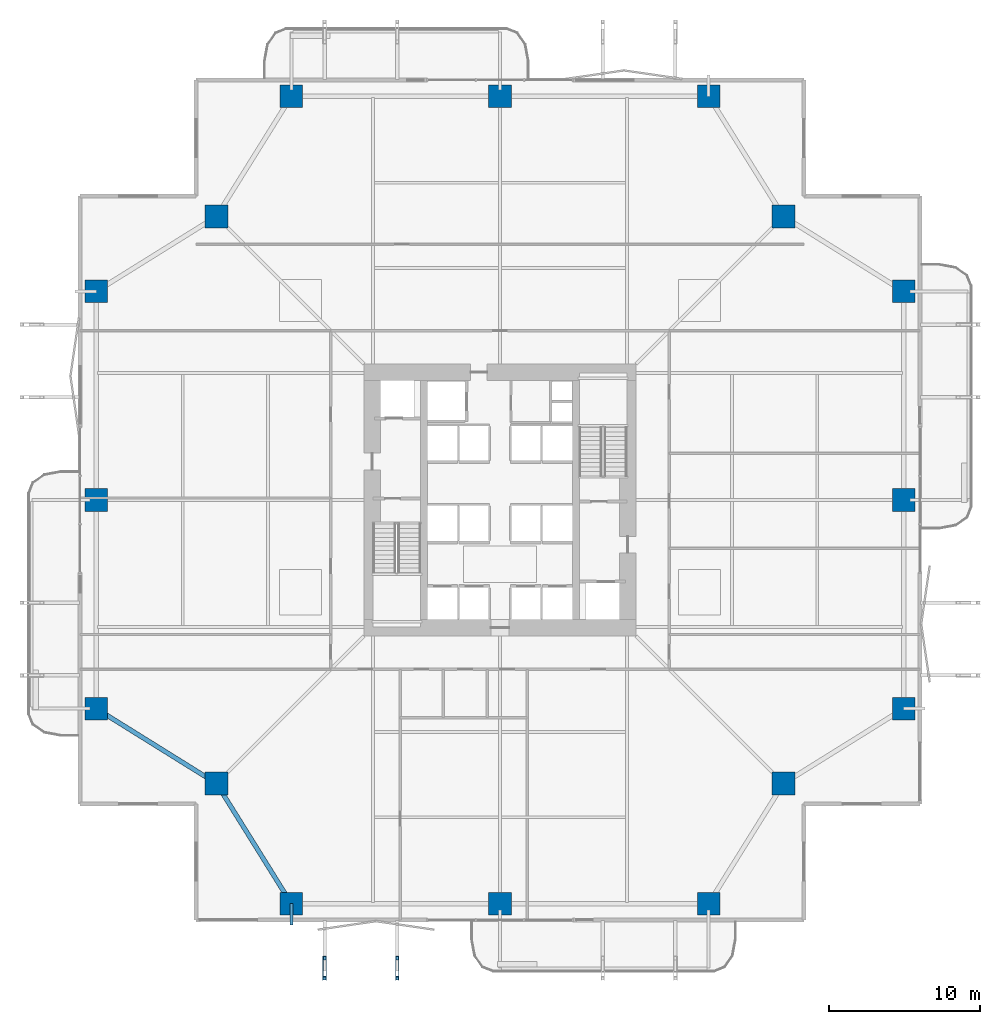
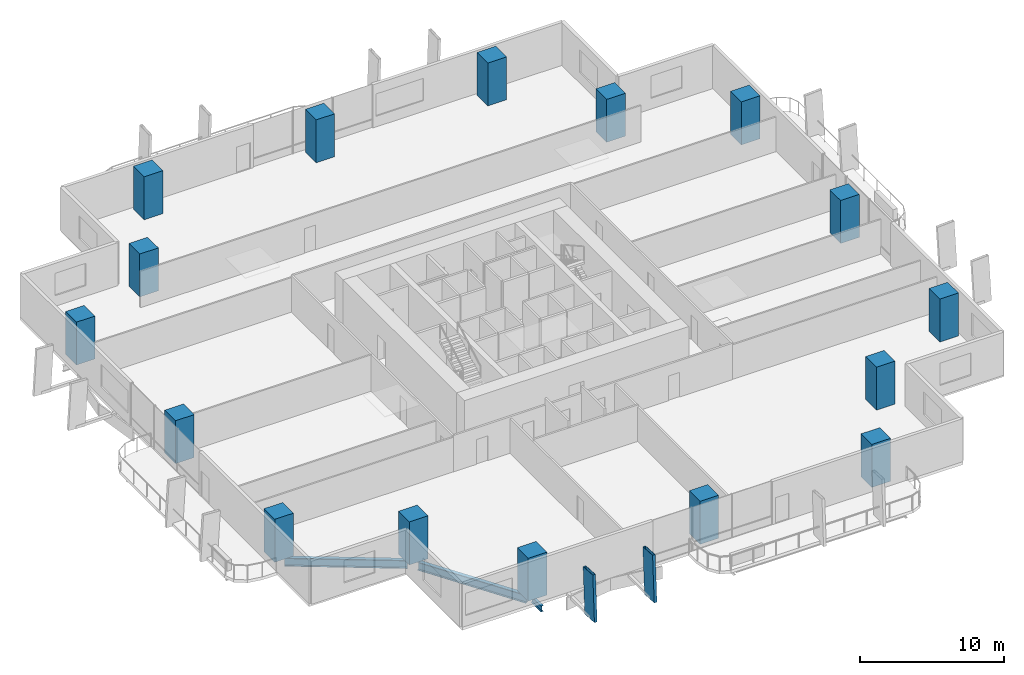
# One storey, part 1 of 24: 16 columns, 3 beams, 2 members.
"""IFC4 building model written with IfcOpenShell, lengths in metres."""

from ifc_helpers import new_model, si_unit, direction, frame, origin, origin_2d, place, context, subcontext, project, spatial, rectangle, hollow_rectangle, i_section, extrude, material, material_profile, profile_set, type_object, element, save


model = new_model("IFC4")

# Units and contexts
model_context = context("Model", 3, precision=1e-05, world=origin(), true_north=direction((0.0, 1.0)))
body_context = subcontext(model_context, "Body", "Model", "MODEL_VIEW")
ifc_project = project(units=[si_unit("LENGTHUNIT", "METRE"), si_unit("AREAUNIT", "SQUARE_METRE"), si_unit("VOLUMEUNIT", "CUBIC_METRE"), si_unit("PLANEANGLEUNIT", "RADIAN"), si_unit("MASSUNIT", "GRAM", prefix="KILO")], contexts=[model_context])

# Site, building, storey
site_placement = place(None, origin())
site = spatial("IfcSite", under=ifc_project, at=site_placement, CompositionType="ELEMENT")
building_placement = place(site_placement, origin())
building = spatial("IfcBuilding", under=site, at=building_placement, Name="Belovzor Exchange Tower", CompositionType="ELEMENT")
storey_placement = place(building_placement, frame((0.0, 0.0, 37.800048828125)))
storey = spatial("IfcBuildingStorey", under=building, at=storey_placement, Name="L08", CompositionType="ELEMENT", Elevation=37.800048828125)

# Columns
ifc_material_1 = material(Name="Concrete C60/75", Category="concrete")
ifc_material_profile_1 = material_profile(ifc_material_1, rectangle(XDim=1.5, YDim=1.5, at=origin_2d()))
ifc_profile_set_1 = profile_set([ifc_material_profile_1], Name="Concrete C60/75")
column_type = type_object("IfcColumnType", Name="Reinforced Concrete Tower Column 1500x1500", PredefinedType="COLUMN", material=ifc_profile_set_1)
for number, where, z_axis, x_axis, name in (
    (1, (15.0, 2.10009765625, 0.0029296875), (0.0, 0.0, 1.0), (1.0, 0.0, 0.0), "COL-T150 Reinforced Concrete Tower Column 1500x1500"),
    (2, (28.800048828125, 2.10009765625, 0.0029296875), (0.0, 0.0, 1.0), (1.0, 0.0, 0.0), "COL-T150 Reinforced Concrete Tower Column 1500x1500"),
    (3, (42.60009765625, 2.10009765625, 0.0029296875), (0.0, 0.0, 1.0), (1.0, 0.0, 0.0), "COL-T150 Reinforced Concrete Tower Column 1500x1500"),
    (4, (55.5, 15.0, 0.0029296875), (0.0, 0.0, 1.0), (1.0, 0.0, 0.0), "COL-T150 Reinforced Concrete Tower Column 1500x1500"),
    (5, (55.5, 28.800048828125, 0.0029296875), (0.0, 0.0, 1.0), (1.0, 0.0, 0.0), "COL-T150 Reinforced Concrete Tower Column 1500x1500"),
    (6, (55.5, 42.60009765625, 0.0029296875), (0.0, 0.0, 1.0), (1.0, 0.0, 0.0), "COL-T150 Reinforced Concrete Tower Column 1500x1500"),
    (7, (42.60009765625, 55.5, 0.0029296875), (0.0, 0.0, 1.0), (1.0, 0.0, 0.0), "COL-T150 Reinforced Concrete Tower Column 1500x1500"),
    (8, (28.800048828125, 55.5, 0.0029296875), (0.0, 0.0, 1.0), (1.0, 0.0, 0.0), "COL-T150 Reinforced Concrete Tower Column 1500x1500"),
    (9, (15.0, 55.5, 0.0029296875), (0.0, 0.0, 1.0), (1.0, 0.0, 0.0), "COL-T150 Reinforced Concrete Tower Column 1500x1500"),
    (10, (2.10009765625, 42.60009765625, 0.0029296875), (0.0, 0.0, 1.0), (1.0, 0.0, 0.0), "COL-T150 Reinforced Concrete Tower Column 1500x1500"),
    (11, (2.10009765625, 28.800048828125, 0.0029296875), (0.0, 0.0, 1.0), (1.0, 0.0, 0.0), "COL-T150 Reinforced Concrete Tower Column 1500x1500"),
    (12, (2.10009765625, 15.0, 0.0029296875), (0.0, 0.0, 1.0), (1.0, 0.0, 0.0), "COL-T150 Reinforced Concrete Tower Column 1500x1500"),
    (13, (10.050048828125, 10.050048828125, 0.0029296875), (0.0, 0.0, 1.0), (1.0, 0.0, 0.0), "COL-T150 Reinforced Concrete Tower Column 1500x1500"),
    (14, (47.550048828125, 10.050048828125, 0.0029296875), (0.0, 0.0, 1.0), (1.0, 0.0, 0.0), "COL-T150 Reinforced Concrete Tower Column 1500x1500"),
    (15, (47.550048828125, 47.550048828125, 0.0029296875), (0.0, 0.0, 1.0), (1.0, 0.0, 0.0), "COL-T150 Reinforced Concrete Tower Column 1500x1500"),
    (16, (10.050048828125, 47.550048828125, 0.0029296875), (0.0, 0.0, 1.0), (1.0, 0.0, 0.0), "COL-T150 Reinforced Concrete Tower Column 1500x1500"),
):
    element("IfcColumn", number, at=place(storey_placement, frame(where, z_axis=z_axis, x_axis=x_axis)), inside=storey, type_object=column_type, Name=name, PredefinedType="COLUMN", context=body_context, shape_type="SweptSolid", body=[
        extrude(rectangle(XDim=1.5, YDim=1.5, at=origin_2d()), origin(), (0.0, 0.0, 1.0), 3.64404296875),
    ])

# Members
ifc_material_2 = material(Name="Extruded Architectural Terracotta on Steel S355 Carrier", Category="masonry")
ifc_material_profile_2 = material_profile(ifc_material_2, hollow_rectangle(XDim=0.219970703125, YDim=1.35009765625, WallThickness=0.013916015625, at=origin_2d()))
ifc_profile_set_2 = profile_set([ifc_material_profile_2], Name="Extruded Architectural Terracotta on Steel S355 Carrier")
member_type = type_object("IfcMemberType", Name="Base Arc Sweeping Terracotta Pylon Fin 1450", PredefinedType="USERDEFINED", material=ifc_profile_set_2)
for number, where, z_axis, x_axis, name in (
    (17, (17.199951171875, -2.27294921875, -0.25), (0.0, 0.058121188646, 0.998309534879), (-1.0, 0.0, 0.0), "FIN-TC145 Terracotta Facade Fin L08 S1"),
    (18, (22.0, -2.27294921875, -0.25), (0.0, 0.058121188646, 0.998309534879), (-1.0, 0.0, 0.0), "FIN-TC145 Terracotta Facade Fin L08 S2"),
):
    element("IfcMember", number, at=place(storey_placement, frame(where, z_axis=z_axis, x_axis=x_axis)), inside=storey, type_object=member_type, Name=name, ObjectType="FIN", PredefinedType="USERDEFINED", context=body_context, shape_type="SweptSolid", body=[
        extrude(hollow_rectangle(XDim=0.219970703125, YDim=1.35009765625, WallThickness=0.013916015625, at=origin_2d()), origin(), (0.0, 0.0, 1.0), 3.906494140625),
    ])

# Beams
ifc_material_3 = material(Name="Steel S355", Category="steel")
ifc_material_profile_3 = material_profile(ifc_material_3, i_section(OverallWidth=0.199951171875, OverallDepth=0.5, WebThickness=0.01025390625, FlangeThickness=0.01611328125, at=origin_2d()))
ifc_profile_set_3 = profile_set([ifc_material_profile_3], Name="Steel S355")
beam_type_1 = type_object("IfcBeamType", Name="Planted Balcony Cantilever Beam IPE 500", PredefinedType="BEAM", material=ifc_profile_set_3)
beam_placement = place(storey_placement, frame((15.0, 2.10009765625, -0.5), z_axis=(0.0, -1.0, 0.0), x_axis=(1.0, 0.0, 0.0)))
element("IfcBeam", 19, at=beam_placement, inside=storey, type_object=beam_type_1, Name="BC-500 Planted Balcony Cantilever Beam IPE 500", PredefinedType="BEAM", context=body_context, shape_type="SweptSolid", body=[
    extrude(i_section(OverallWidth=0.199951171875, OverallDepth=0.5, WebThickness=0.01025390625, FlangeThickness=0.01611328125, at=origin_2d()), origin(), (0.0, 0.0, 1.0), 1.400146484375),
])
ifc_material_4 = material(Name="Steel S355", Category="steel")
ifc_material_profile_4 = material_profile(ifc_material_4, i_section(OverallWidth=0.300048828125, OverallDepth=0.699951171875, WebThickness=0.01708984375, FlangeThickness=0.031982421875, at=origin_2d()))
ifc_profile_set_4 = profile_set([ifc_material_profile_4], Name="Steel S355")
beam_type_2 = type_object("IfcBeamType", Name="Zone 1 Primary Perimeter Girder HEB 700", PredefinedType="BEAM", material=ifc_profile_set_4)
for number, where, z_axis, x_axis, name in (
    (20, (10.26806640625, 9.699951171875, -0.60009765625), (0.528538629686, -0.848909251292, 0.0), (0.848909251292, 0.528538629686, 0.0), "FG-Z1 Zone 1 Primary Perimeter Girder HEB 700"),
    (21, (2.449951171875, 14.781982421875, -0.60009765625), (0.848909251292, -0.528538629686, 0.0), (0.528538629686, 0.848909251292, 0.0), "FG-Z1 Zone 1 Primary Perimeter Girder HEB 700"),
):
    element("IfcBeam", number, at=place(storey_placement, frame(where, z_axis=z_axis, x_axis=x_axis)), inside=storey, type_object=beam_type_2, Name=name, PredefinedType="BEAM", context=body_context, shape_type="SweptSolid", body=[
        extrude(i_section(OverallWidth=0.300048828125, OverallDepth=0.699951171875, WebThickness=0.01708984375, FlangeThickness=0.031982421875, at=origin_2d()), origin(), (0.0, 0.0, 1.0), 8.540283203125),
    ])

save(model, "model.ifc")
